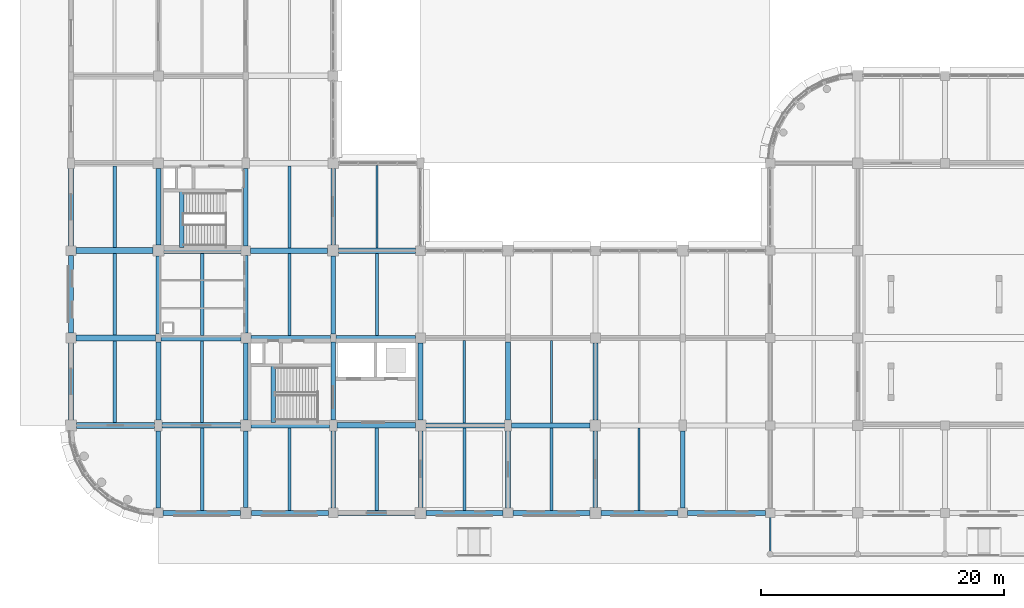
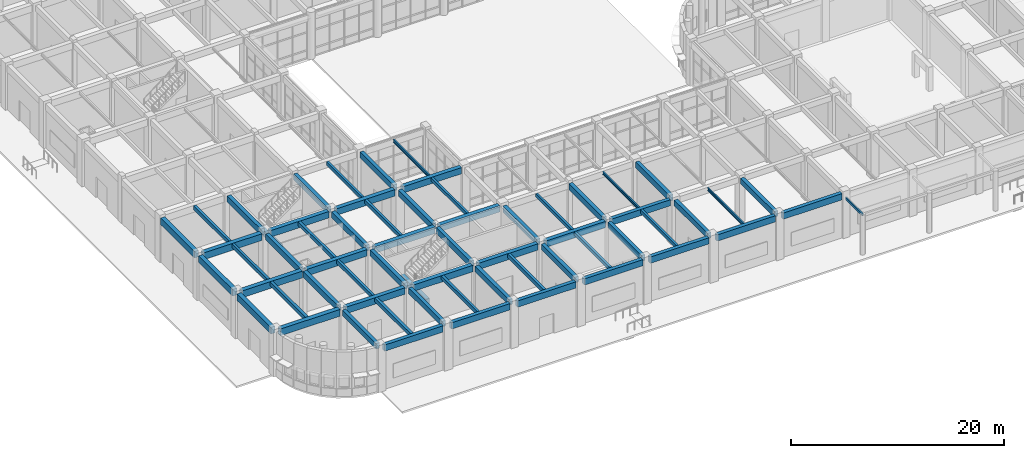
# One storey, part 15 of 160: 63 beams.
"""IFC4 building model written with IfcOpenShell, lengths in metres."""

from ifc_helpers import new_model, si_unit, direction, frame, origin, origin_2d, place, context, subcontext, project, spatial, rectangle, hollow_rectangle, i_section, extrude, material, material_profile, profile_set, type_object, element, save


model = new_model("IFC4")

# Units and contexts
model_context = context("Model", 3, precision=1e-05, world=origin(), true_north=direction((0.0, 1.0)))
body_context = subcontext(model_context, "Body", "Model", "MODEL_VIEW")
ifc_project = project(units=[si_unit("LENGTHUNIT", "METRE"), si_unit("AREAUNIT", "SQUARE_METRE"), si_unit("VOLUMEUNIT", "CUBIC_METRE"), si_unit("PLANEANGLEUNIT", "RADIAN"), si_unit("MASSUNIT", "GRAM", prefix="KILO")], contexts=[model_context])

# Site, building, storey
site_placement = place(None, origin())
site = spatial("IfcSite", under=ifc_project, at=site_placement, CompositionType="ELEMENT")
building_placement = place(site_placement, origin())
building = spatial("IfcBuilding", under=site, at=building_placement, Name="Thalmaran Polytechnic", CompositionType="ELEMENT")
storey_placement = place(building_placement, origin())
storey = spatial("IfcBuildingStorey", under=building, at=storey_placement, Name="L00", CompositionType="ELEMENT", Elevation=0.0)

# Beams
ifc_material_1 = material(Name="Steel S355", Category="steel")
ifc_material_profile_1 = material_profile(ifc_material_1, hollow_rectangle(XDim=0.14990234375, YDim=0.25, WallThickness=0.010009765625, at=origin_2d()), Name="RHS 250x150x10.0")
ifc_profile_set_1 = profile_set([ifc_material_profile_1], Name="Steel S355")
beam_type_1 = type_object("IfcBeamType", Name="BM-CN02", PredefinedType="BEAM", material=ifc_profile_set_1)
beam_1_placement = place(storey_placement, frame((57.60009765625, -3.39990234375, 4.47509765625), z_axis=(0.0, 1.0, 0.0), x_axis=(-1.0, 0.0, 0.0)))
element("IfcBeam", 1, at=beam_1_placement, inside=storey, type_object=beam_type_1, Name="South Arcade Tie Beam S0", PredefinedType="BEAM", context=body_context, shape_type="SweptSolid", body=[
    extrude(hollow_rectangle(XDim=0.14990234375, YDim=0.25, WallThickness=0.010009765625, at=origin_2d()), origin(), (0.0, 0.0, 1.0), 3.199951171875),
])
ifc_material_2 = material(Name="Concrete C40/50", Category="concrete")
ifc_material_profile_2 = material_profile(ifc_material_2, rectangle(XDim=0.449951171875, YDim=0.75, at=origin_2d()), Name="RC 450x750")
ifc_profile_set_2 = profile_set([ifc_material_profile_2], Name="Concrete C40/50")
beam_type_2 = type_object("IfcBeamType", Name="BM-RC03", PredefinedType="BEAM", material=ifc_profile_set_2)
beam_2_placement = place(storey_placement, frame((7.5, 7.199951171875, 4.715087890625), z_axis=(1.0, 0.0, 0.0), x_axis=(0.0, 1.0, 0.0)))
element("IfcBeam", 2, at=beam_2_placement, inside=storey, type_object=beam_type_2, Name="Grid Beam B03 L00 X(1,1)", PredefinedType="BEAM", context=body_context, shape_type="SweptSolid", body=[
    extrude(rectangle(XDim=0.449951171875, YDim=0.75, at=origin_2d()), origin(), (0.0, 0.0, 1.0), 6.4599609375),
])
beam_3_placement = place(storey_placement, frame((7.425048828125, 14.39990234375, 4.715087890625), z_axis=(1.0, 0.0, 0.0), x_axis=(0.0, 1.0, 0.0)))
element("IfcBeam", 3, at=beam_3_placement, inside=storey, type_object=beam_type_2, Name="Grid Beam B03 L00 X(1,2)", PredefinedType="BEAM", context=body_context, shape_type="SweptSolid", body=[
    extrude(rectangle(XDim=0.449951171875, YDim=0.75, at=origin_2d()), origin(), (0.0, 0.0, 1.0), 6.56494140625),
])
beam_4_placement = place(storey_placement, frame((7.64990234375, 21.60009765625, 4.715087890625), z_axis=(1.0, 0.0, 0.0), x_axis=(0.0, 1.0, 0.0)))
element("IfcBeam", 4, at=beam_4_placement, inside=storey, type_object=beam_type_2, Name="Grid Beam B03 L00 X(1,3)", PredefinedType="BEAM", context=body_context, shape_type="SweptSolid", body=[
    extrude(rectangle(XDim=0.449951171875, YDim=0.75, at=origin_2d()), origin(), (0.0, 0.0, 1.0), 6.35009765625),
])
ifc_material_profile_3 = material_profile(ifc_material_2, rectangle(XDim=0.449951171875, YDim=0.72509765625, at=origin_2d()), Name="RC 450x725")
ifc_profile_set_3 = profile_set([ifc_material_profile_3], Name="Concrete C40/50")
beam_type_3 = type_object("IfcBeamType", Name="BM-RC04", PredefinedType="BEAM", material=ifc_profile_set_3)
beam_5_placement = place(storey_placement, frame((21.89990234375, 7.199951171875, 4.7275390625), z_axis=(1.0, 0.0, 0.0), x_axis=(0.0, 1.0, 0.0)))
element("IfcBeam", 5, at=beam_5_placement, inside=storey, type_object=beam_type_3, Name="Grid Beam B04 L00 X(3,1)", PredefinedType="BEAM", context=body_context, shape_type="SweptSolid", body=[
    extrude(rectangle(XDim=0.449951171875, YDim=0.72509765625, at=origin_2d()), origin(), (0.0, 0.0, 1.0), 6.460205078125),
])
beam_6_placement = place(storey_placement, frame((21.824951171875, 14.39990234375, 4.7275390625), z_axis=(1.0, 0.0, 0.0), x_axis=(0.0, 1.0, 0.0)))
element("IfcBeam", 6, at=beam_6_placement, inside=storey, type_object=beam_type_3, Name="Grid Beam B04 L00 X(3,2)", PredefinedType="BEAM", context=body_context, shape_type="SweptSolid", body=[
    extrude(rectangle(XDim=0.449951171875, YDim=0.72509765625, at=origin_2d()), origin(), (0.0, 0.0, 1.0), 6.56494140625),
])
beam_7_placement = place(storey_placement, frame((22.050048828125, 21.60009765625, 4.7275390625), z_axis=(1.0, 0.0, 0.0), x_axis=(0.0, 1.0, 0.0)))
element("IfcBeam", 7, at=beam_7_placement, inside=storey, type_object=beam_type_3, Name="Grid Beam B04 L00 X(3,3)", PredefinedType="BEAM", context=body_context, shape_type="SweptSolid", body=[
    extrude(rectangle(XDim=0.449951171875, YDim=0.72509765625, at=origin_2d()), origin(), (0.0, 0.0, 1.0), 6.349853515625),
])
ifc_material_profile_4 = material_profile(ifc_material_2, rectangle(XDim=0.39990234375, YDim=0.699951171875, at=origin_2d()), Name="RC 400x700")
ifc_profile_set_4 = profile_set([ifc_material_profile_4], Name="Concrete C40/50")
beam_type_4 = type_object("IfcBeamType", Name="BM-RC05", PredefinedType="BEAM", material=ifc_profile_set_4)
beam_8_placement = place(storey_placement, frame((36.300048828125, 7.199951171875, 4.739990234375), z_axis=(1.0, 0.0, 0.0), x_axis=(0.0, 1.0, 0.0)))
element("IfcBeam", 8, at=beam_8_placement, inside=storey, type_object=beam_type_4, Name="Grid Beam B05 L00 X(5,1)", PredefinedType="BEAM", context=body_context, shape_type="SweptSolid", body=[
    extrude(rectangle(XDim=0.39990234375, YDim=0.699951171875, at=origin_2d()), origin(), (0.0, 0.0, 1.0), 6.4599609375),
])
ifc_material_profile_5 = material_profile(ifc_material_2, rectangle(XDim=0.389892578125, YDim=0.68505859375, at=origin_2d()), Name="RC 390x685")
ifc_profile_set_5 = profile_set([ifc_material_profile_5], Name="Concrete C40/50")
beam_type_5 = type_object("IfcBeamType", Name="BM-RC08", PredefinedType="BEAM", material=ifc_profile_set_5)
beam_9_placement = place(storey_placement, frame((7.199951171875, 7.64990234375, 4.74755859375), z_axis=(0.0, 1.0, 0.0), x_axis=(-1.0, 0.0, 0.0)))
element("IfcBeam", 9, at=beam_9_placement, inside=storey, type_object=beam_type_5, Name="Grid Beam B08 L00 Y(1,1)", PredefinedType="BEAM", context=body_context, shape_type="SweptSolid", body=[
    extrude(rectangle(XDim=0.389892578125, YDim=0.68505859375, at=origin_2d()), origin(), (0.0, 0.0, 1.0), 6.425048828125),
])
beam_10_placement = place(storey_placement, frame((14.39990234375, 7.639892578125, 4.74755859375), z_axis=(0.0, 1.0, 0.0), x_axis=(-1.0, 0.0, 0.0)))
element("IfcBeam", 10, at=beam_10_placement, inside=storey, type_object=beam_type_5, Name="Grid Beam B08 L00 Y(2,1)", PredefinedType="BEAM", context=body_context, shape_type="SweptSolid", body=[
    extrude(rectangle(XDim=0.389892578125, YDim=0.68505859375, at=origin_2d()), origin(), (0.0, 0.0, 1.0), 6.35009765625),
])
beam_11_placement = place(storey_placement, frame((21.60009765625, 7.64990234375, 4.74755859375), z_axis=(0.0, 1.0, 0.0), x_axis=(-1.0, 0.0, 0.0)))
element("IfcBeam", 11, at=beam_11_placement, inside=storey, type_object=beam_type_5, Name="Grid Beam B08 L00 Y(3,1)", PredefinedType="BEAM", context=body_context, shape_type="SweptSolid", body=[
    extrude(rectangle(XDim=0.389892578125, YDim=0.68505859375, at=origin_2d()), origin(), (0.0, 0.0, 1.0), 6.425048828125),
])
beam_12_placement = place(storey_placement, frame((28.800048828125, 7.639892578125, 4.74755859375), z_axis=(0.0, 1.0, 0.0), x_axis=(-1.0, 0.0, 0.0)))
element("IfcBeam", 12, at=beam_12_placement, inside=storey, type_object=beam_type_5, Name="Grid Beam B08 L00 Y(4,1)", PredefinedType="BEAM", context=body_context, shape_type="SweptSolid", body=[
    extrude(rectangle(XDim=0.389892578125, YDim=0.68505859375, at=origin_2d()), origin(), (0.0, 0.0, 1.0), 6.35009765625),
])
beam_13_placement = place(storey_placement, frame((36.0, 7.64990234375, 4.74755859375), z_axis=(0.0, 1.0, 0.0), x_axis=(-1.0, 0.0, 0.0)))
element("IfcBeam", 13, at=beam_13_placement, inside=storey, type_object=beam_type_5, Name="Grid Beam B08 L00 Y(5,1)", PredefinedType="BEAM", context=body_context, shape_type="SweptSolid", body=[
    extrude(rectangle(XDim=0.389892578125, YDim=0.68505859375, at=origin_2d()), origin(), (0.0, 0.0, 1.0), 6.425048828125),
])
beam_14_placement = place(storey_placement, frame((43.199951171875, 7.639892578125, 4.74755859375), z_axis=(0.0, 1.0, 0.0), x_axis=(-1.0, 0.0, 0.0)))
element("IfcBeam", 14, at=beam_14_placement, inside=storey, type_object=beam_type_5, Name="Grid Beam B08 L00 Y(6,1)", PredefinedType="BEAM", context=body_context, shape_type="SweptSolid", body=[
    extrude(rectangle(XDim=0.389892578125, YDim=0.68505859375, at=origin_2d()), origin(), (0.0, 0.0, 1.0), 6.35009765625),
])
ifc_material_profile_6 = material_profile(ifc_material_2, rectangle(XDim=0.389892578125, YDim=0.68994140625, at=origin_2d()), Name="RC 390x690")
ifc_profile_set_6 = profile_set([ifc_material_profile_6], Name="Concrete C40/50")
beam_type_6 = type_object("IfcBeamType", Name="BM-RC09", PredefinedType="BEAM", material=ifc_profile_set_6)
beam_15_placement = place(storey_placement, frame((7.199951171875, 22.050048828125, 4.7451171875), z_axis=(0.0, 1.0, 0.0), x_axis=(-1.0, 0.0, 0.0)))
element("IfcBeam", 15, at=beam_15_placement, inside=storey, type_object=beam_type_6, Name="Grid Beam B09 L00 Y(1,3)", PredefinedType="BEAM", context=body_context, shape_type="SweptSolid", body=[
    extrude(rectangle(XDim=0.389892578125, YDim=0.68994140625, at=origin_2d()), origin(), (0.0, 0.0, 1.0), 6.31005859375),
])
beam_16_placement = place(storey_placement, frame((14.39990234375, 22.0, 4.7451171875), z_axis=(0.0, 1.0, 0.0), x_axis=(-1.0, 0.0, 0.0)))
element("IfcBeam", 16, at=beam_16_placement, inside=storey, type_object=beam_type_6, Name="Grid Beam B09 L00 Y(2,3)", PredefinedType="BEAM", context=body_context, shape_type="SweptSolid", body=[
    extrude(rectangle(XDim=0.389892578125, YDim=0.68994140625, at=origin_2d()), origin(), (0.0, 0.0, 1.0), 6.35009765625),
])
beam_17_placement = place(storey_placement, frame((21.60009765625, 22.050048828125, 4.7451171875), z_axis=(0.0, 1.0, 0.0), x_axis=(-1.0, 0.0, 0.0)))
element("IfcBeam", 17, at=beam_17_placement, inside=storey, type_object=beam_type_6, Name="Grid Beam B09 L00 Y(3,3)", PredefinedType="BEAM", context=body_context, shape_type="SweptSolid", body=[
    extrude(rectangle(XDim=0.389892578125, YDim=0.68994140625, at=origin_2d()), origin(), (0.0, 0.0, 1.0), 6.31005859375),
])
ifc_material_profile_7 = material_profile(ifc_material_2, rectangle(XDim=0.389892578125, YDim=0.695068359375, at=origin_2d()), Name="RC 390x695")
ifc_profile_set_7 = profile_set([ifc_material_profile_7], Name="Concrete C40/50")
beam_type_7 = type_object("IfcBeamType", Name="BM-RC10", PredefinedType="BEAM", material=ifc_profile_set_7)
for number, where, z_axis, x_axis, name in (
    (18, (16.659912109375, 7.43994140625, 2.239990234375), (0.0, 1.0, 0.0), (-1.0, 0.0, 0.0), "ST1 L00 Half-Landing Trimmer Beam"),
    (19, (9.1201171875, 21.840087890625, 2.239990234375), (0.0, 1.0, 0.0), (-1.0, 0.0, 0.0), "ST3 L00 Half-Landing Trimmer Beam"),
):
    element("IfcBeam", number, at=place(storey_placement, frame(where, z_axis=z_axis, x_axis=x_axis)), inside=storey, type_object=beam_type_7, Name=name, PredefinedType="BEAM", context=body_context, shape_type="SweptSolid", body=[
        extrude(rectangle(XDim=0.389892578125, YDim=0.695068359375, at=origin_2d()), origin(), (0.0, 0.0, 1.0), 4.699951171875),
    ])
ifc_material_profile_8 = material_profile(ifc_material_2, rectangle(XDim=0.300048828125, YDim=0.449951171875, at=origin_2d()), Name="RC 300x450")
ifc_profile_set_8 = profile_set([ifc_material_profile_8], Name="Concrete C40/50")
beam_type_8 = type_object("IfcBeamType", Name="BM-RC12", PredefinedType="JOIST", material=ifc_profile_set_8)
beam_18_placement = place(storey_placement, frame((3.60009765625, 7.43994140625, 4.864990234375), z_axis=(0.0, 1.0, 0.0), x_axis=(-1.0, 0.0, 0.0)))
element("IfcBeam", 20, at=beam_18_placement, inside=storey, type_object=beam_type_8, Name="Secondary Floor Rib RB02 L00 (0,1)", PredefinedType="JOIST", context=body_context, shape_type="SweptSolid", body=[
    extrude(rectangle(XDim=0.300048828125, YDim=0.449951171875, at=origin_2d()), origin(), (0.0, 0.0, 1.0), 6.719970703125),
])
beam_19_placement = place(storey_placement, frame((10.800048828125, 0.199951171875, 4.864990234375), z_axis=(0.0, 1.0, 0.0), x_axis=(-1.0, 0.0, 0.0)))
element("IfcBeam", 21, at=beam_19_placement, inside=storey, type_object=beam_type_8, Name="Secondary Floor Rib RB02 L00 (1,0)", PredefinedType="JOIST", context=body_context, shape_type="SweptSolid", body=[
    extrude(rectangle(XDim=0.300048828125, YDim=0.449951171875, at=origin_2d()), origin(), (0.0, 0.0, 1.0), 6.775146484375),
])
ifc_material_profile_9 = material_profile(ifc_material_2, rectangle(XDim=0.280029296875, YDim=0.449951171875, at=origin_2d()), Name="RC 280x450")
ifc_profile_set_9 = profile_set([ifc_material_profile_9], Name="Concrete C40/50")
beam_type_9 = type_object("IfcBeamType", Name="BM-RC13", PredefinedType="JOIST", material=ifc_profile_set_9)
beam_20_placement = place(storey_placement, frame((3.60009765625, 21.840087890625, 4.864990234375), z_axis=(0.0, 1.0, 0.0), x_axis=(-1.0, 0.0, 0.0)))
element("IfcBeam", 22, at=beam_20_placement, inside=storey, type_object=beam_type_9, Name="Secondary Floor Rib RB03 L00 (0,3)", PredefinedType="JOIST", context=body_context, shape_type="SweptSolid", body=[
    extrude(rectangle(XDim=0.280029296875, YDim=0.449951171875, at=origin_2d()), origin(), (0.0, 0.0, 1.0), 6.719970703125),
])
beam_21_placement = place(storey_placement, frame((10.800048828125, 14.625, 4.864990234375), z_axis=(0.0, 1.0, 0.0), x_axis=(-1.0, 0.0, 0.0)))
element("IfcBeam", 23, at=beam_21_placement, inside=storey, type_object=beam_type_9, Name="Secondary Floor Rib RB03 L00 (1,2)", PredefinedType="JOIST", context=body_context, shape_type="SweptSolid", body=[
    extrude(rectangle(XDim=0.280029296875, YDim=0.449951171875, at=origin_2d()), origin(), (0.0, 0.0, 1.0), 6.75),
])
beam_22_placement = place(storey_placement, frame((25.199951171875, 0.199951171875, 4.864990234375), z_axis=(0.0, 1.0, 0.0), x_axis=(-1.0, 0.0, 0.0)))
element("IfcBeam", 24, at=beam_22_placement, inside=storey, type_object=beam_type_9, Name="Secondary Floor Rib RB03 L00 (3,0)", PredefinedType="JOIST", context=body_context, shape_type="SweptSolid", body=[
    extrude(rectangle(XDim=0.280029296875, YDim=0.449951171875, at=origin_2d()), origin(), (0.0, 0.0, 1.0), 6.775146484375),
])
ifc_material_profile_10 = material_profile(ifc_material_1, i_section(OverallWidth=0.159912109375, OverallDepth=0.330078125, WebThickness=0.007568359375, FlangeThickness=0.011474609375, at=origin_2d()), Name="IPE 330")
ifc_profile_set_10 = profile_set([ifc_material_profile_10], Name="Steel S355")
beam_type_10 = type_object("IfcBeamType", Name="BM-SJ02", PredefinedType="JOIST", material=ifc_profile_set_10)
beam_23_placement = place(storey_placement, frame((25.199951171875, 21.824951171875, 4.925048828125), z_axis=(0.0, 1.0, 0.0), x_axis=(-1.0, 0.0, 0.0)))
element("IfcBeam", 25, at=beam_23_placement, inside=storey, type_object=beam_type_10, Name="Secondary Floor Rib SJ02 L00 (3,3)", PredefinedType="JOIST", context=body_context, shape_type="SweptSolid", body=[
    extrude(i_section(OverallWidth=0.159912109375, OverallDepth=0.330078125, WebThickness=0.007568359375, FlangeThickness=0.011474609375, at=origin_2d()), origin(), (0.0, 0.0, 1.0), 6.775146484375),
])
beam_24_placement = place(storey_placement, frame((39.60009765625, 7.39990234375, 4.925048828125), z_axis=(0.0, 1.0, 0.0), x_axis=(-1.0, 0.0, 0.0)))
element("IfcBeam", 26, at=beam_24_placement, inside=storey, type_object=beam_type_10, Name="Secondary Floor Rib SJ02 L00 (5,1)", PredefinedType="JOIST", context=body_context, shape_type="SweptSolid", body=[
    extrude(i_section(OverallWidth=0.159912109375, OverallDepth=0.330078125, WebThickness=0.007568359375, FlangeThickness=0.011474609375, at=origin_2d()), origin(), (0.0, 0.0, 1.0), 6.800048828125),
])
beam_25_placement = place(storey_placement, frame((46.800048828125, 0.199951171875, 4.925048828125), z_axis=(0.0, 1.0, 0.0), x_axis=(-1.0, 0.0, 0.0)))
element("IfcBeam", 27, at=beam_25_placement, inside=storey, type_object=beam_type_10, Name="Secondary Floor Rib SJ02 L00 (6,0)", PredefinedType="JOIST", context=body_context, shape_type="SweptSolid", body=[
    extrude(i_section(OverallWidth=0.159912109375, OverallDepth=0.330078125, WebThickness=0.007568359375, FlangeThickness=0.011474609375, at=origin_2d()), origin(), (0.0, 0.0, 1.0), 6.7900390625),
])
ifc_material_profile_11 = material_profile(ifc_material_2, rectangle(XDim=0.39990234375, YDim=0.719970703125, at=origin_2d()), Name="RC 400x720")
ifc_profile_set_11 = profile_set([ifc_material_profile_11], Name="Concrete C40/50")
beam_type_11 = type_object("IfcBeamType", Name="BM-SP01", PredefinedType="SPANDREL", material=ifc_profile_set_11)
for number, where, z_axis, x_axis, name in (
    (28, (7.60009765625, 0.0, 4.72998046875), (1.0, 0.0, 0.0), (0.0, 1.0, 0.0), "Grid Beam SP01 L00 X(1,0)"),
    (29, (14.85009765625, 0.0, 4.72998046875), (1.0, 0.0, 0.0), (0.0, 1.0, 0.0), "Grid Beam SP01 L00 X(2,0)"),
):
    element("IfcBeam", number, at=place(storey_placement, frame(where, z_axis=z_axis, x_axis=x_axis)), inside=storey, type_object=beam_type_11, Name=name, PredefinedType="SPANDREL", context=body_context, shape_type="SweptSolid", body=[
        extrude(rectangle(XDim=0.39990234375, YDim=0.719970703125, at=origin_2d()), origin(), (0.0, 0.0, 1.0), 6.349853515625),
    ])
for number, where, z_axis, x_axis, name in (
    (30, (22.0, 0.0, 4.72998046875), (1.0, 0.0, 0.0), (0.0, 1.0, 0.0), "Grid Beam SP01 L00 X(3,0)"),
    (31, (29.25, 0.0, 4.72998046875), (1.0, 0.0, 0.0), (0.0, 1.0, 0.0), "Grid Beam SP01 L00 X(4,0)"),
    (32, (36.39990234375, 0.0, 4.72998046875), (1.0, 0.0, 0.0), (0.0, 1.0, 0.0), "Grid Beam SP01 L00 X(5,0)"),
    (33, (43.64990234375, 0.0, 4.72998046875), (1.0, 0.0, 0.0), (0.0, 1.0, 0.0), "Grid Beam SP01 L00 X(6,0)"),
):
    element("IfcBeam", number, at=place(storey_placement, frame(where, z_axis=z_axis, x_axis=x_axis)), inside=storey, type_object=beam_type_11, Name=name, PredefinedType="SPANDREL", context=body_context, shape_type="SweptSolid", body=[
        extrude(rectangle(XDim=0.39990234375, YDim=0.719970703125, at=origin_2d()), origin(), (0.0, 0.0, 1.0), 6.35009765625),
    ])
beam_26_placement = place(storey_placement, frame((50.800048828125, 0.0, 4.72998046875), z_axis=(1.0, 0.0, 0.0), x_axis=(0.0, 1.0, 0.0)))
element("IfcBeam", 34, at=beam_26_placement, inside=storey, type_object=beam_type_11, Name="Grid Beam SP01 L00 X(7,0)", PredefinedType="SPANDREL", context=body_context, shape_type="SweptSolid", body=[
    extrude(rectangle(XDim=0.39990234375, YDim=0.719970703125, at=origin_2d()), origin(), (0.0, 0.0, 1.0), 6.425048828125),
])
ifc_material_profile_12 = material_profile(ifc_material_2, rectangle(XDim=0.449951171875, YDim=0.7548828125, at=origin_2d()), Name="RC 450x755")
ifc_profile_set_12 = profile_set([ifc_material_profile_12], Name="Concrete C40/50")
beam_type_12 = type_object("IfcBeamType", Name="BM-SP02", PredefinedType="SPANDREL", material=ifc_profile_set_12)
beam_27_placement = place(storey_placement, frame((0.0, 7.639892578125, 4.71240234375), z_axis=(0.0, 1.0, 0.0), x_axis=(-1.0, 0.0, 0.0)))
element("IfcBeam", 35, at=beam_27_placement, inside=storey, type_object=beam_type_12, Name="Grid Beam SP02 L00 Y(0,1)", PredefinedType="SPANDREL", context=body_context, shape_type="SweptSolid", body=[
    extrude(rectangle(XDim=0.449951171875, YDim=0.7548828125, at=origin_2d()), origin(), (0.0, 0.0, 1.0), 6.35009765625),
])
beam_28_placement = place(storey_placement, frame((0.0, 14.81005859375, 4.71240234375), z_axis=(0.0, 1.0, 0.0), x_axis=(-1.0, 0.0, 0.0)))
element("IfcBeam", 36, at=beam_28_placement, inside=storey, type_object=beam_type_12, Name="Grid Beam SP02 L00 Y(0,2)", PredefinedType="SPANDREL", context=body_context, shape_type="SweptSolid", body=[
    extrude(rectangle(XDim=0.449951171875, YDim=0.7548828125, at=origin_2d()), origin(), (0.0, 0.0, 1.0), 6.389892578125),
])
beam_29_placement = place(storey_placement, frame((0.0, 22.0, 4.71240234375), z_axis=(0.0, 1.0, 0.0), x_axis=(-1.0, 0.0, 0.0)))
element("IfcBeam", 37, at=beam_29_placement, inside=storey, type_object=beam_type_12, Name="Grid Beam SP02 L00 Y(0,3)", PredefinedType="SPANDREL", context=body_context, shape_type="SweptSolid", body=[
    extrude(rectangle(XDim=0.449951171875, YDim=0.7548828125, at=origin_2d()), origin(), (0.0, 0.0, 1.0), 6.35009765625),
])
ifc_material_profile_13 = material_profile(ifc_material_2, rectangle(XDim=0.47998046875, YDim=0.780029296875, at=origin_2d()), Name="RC 480x780")
ifc_profile_set_13 = profile_set([ifc_material_profile_13], Name="Concrete C40/50")
beam_type_13 = type_object("IfcBeamType", Name="BM-ZB01", PredefinedType="BEAM", material=ifc_profile_set_13)
beam_30_placement = place(storey_placement, frame((0.43994140625, 7.199951171875, 4.699951171875), z_axis=(1.0, 0.0, 0.0), x_axis=(0.0, 1.0, 0.0)))
element("IfcBeam", 38, at=beam_30_placement, inside=storey, type_object=beam_type_13, Name="Grid Beam ZB01 L00 X(0,1)", PredefinedType="BEAM", context=body_context, shape_type="SweptSolid", body=[
    extrude(rectangle(XDim=0.47998046875, YDim=0.780029296875, at=origin_2d()), origin(), (0.0, 0.0, 1.0), 6.4599609375),
])
beam_31_placement = place(storey_placement, frame((0.409912109375, 14.39990234375, 4.699951171875), z_axis=(1.0, 0.0, 0.0), x_axis=(0.0, 1.0, 0.0)))
element("IfcBeam", 39, at=beam_31_placement, inside=storey, type_object=beam_type_13, Name="Grid Beam ZB01 L00 X(0,2)", PredefinedType="BEAM", context=body_context, shape_type="SweptSolid", body=[
    extrude(rectangle(XDim=0.47998046875, YDim=0.780029296875, at=origin_2d()), origin(), (0.0, 0.0, 1.0), 6.565185546875),
])
beam_32_placement = place(storey_placement, frame((0.39990234375, 21.60009765625, 4.699951171875), z_axis=(1.0, 0.0, 0.0), x_axis=(0.0, 1.0, 0.0)))
element("IfcBeam", 40, at=beam_32_placement, inside=storey, type_object=beam_type_13, Name="Grid Beam ZB01 L00 X(0,3)", PredefinedType="BEAM", context=body_context, shape_type="SweptSolid", body=[
    extrude(rectangle(XDim=0.47998046875, YDim=0.780029296875, at=origin_2d()), origin(), (0.0, 0.0, 1.0), 6.35009765625),
])
ifc_material_profile_14 = material_profile(ifc_material_2, rectangle(XDim=0.4599609375, YDim=0.739990234375, at=origin_2d()), Name="RC 460x740")
ifc_profile_set_14 = profile_set([ifc_material_profile_14], Name="Concrete C40/50")
beam_type_14 = type_object("IfcBeamType", Name="BM-ZB02", PredefinedType="BEAM", material=ifc_profile_set_14)
beam_33_placement = place(storey_placement, frame((14.840087890625, 7.199951171875, 4.719970703125), z_axis=(1.0, 0.0, 0.0), x_axis=(0.0, 1.0, 0.0)))
element("IfcBeam", 41, at=beam_33_placement, inside=storey, type_object=beam_type_14, Name="Grid Beam ZB02 L00 X(2,1)", PredefinedType="BEAM", context=body_context, shape_type="SweptSolid", body=[
    extrude(rectangle(XDim=0.4599609375, YDim=0.739990234375, at=origin_2d()), origin(), (0.0, 0.0, 1.0), 6.4599609375),
])
beam_34_placement = place(storey_placement, frame((14.81005859375, 14.39990234375, 4.719970703125), z_axis=(1.0, 0.0, 0.0), x_axis=(0.0, 1.0, 0.0)))
element("IfcBeam", 42, at=beam_34_placement, inside=storey, type_object=beam_type_14, Name="Grid Beam ZB02 L00 X(2,2)", PredefinedType="BEAM", context=body_context, shape_type="SweptSolid", body=[
    extrude(rectangle(XDim=0.4599609375, YDim=0.739990234375, at=origin_2d()), origin(), (0.0, 0.0, 1.0), 6.56494140625),
])
beam_35_placement = place(storey_placement, frame((14.800048828125, 21.60009765625, 4.719970703125), z_axis=(1.0, 0.0, 0.0), x_axis=(0.0, 1.0, 0.0)))
element("IfcBeam", 43, at=beam_35_placement, inside=storey, type_object=beam_type_14, Name="Grid Beam ZB02 L00 X(2,3)", PredefinedType="BEAM", context=body_context, shape_type="SweptSolid", body=[
    extrude(rectangle(XDim=0.4599609375, YDim=0.739990234375, at=origin_2d()), origin(), (0.0, 0.0, 1.0), 6.349853515625),
])
ifc_material_profile_15 = material_profile(ifc_material_2, rectangle(XDim=0.43994140625, YDim=0.719970703125, at=origin_2d()), Name="RC 440x720")
ifc_profile_set_15 = profile_set([ifc_material_profile_15], Name="Concrete C40/50")
beam_type_15 = type_object("IfcBeamType", Name="BM-ZB03", PredefinedType="BEAM", material=ifc_profile_set_15)
beam_36_placement = place(storey_placement, frame((29.239990234375, 7.199951171875, 4.72998046875), z_axis=(1.0, 0.0, 0.0), x_axis=(0.0, 1.0, 0.0)))
element("IfcBeam", 44, at=beam_36_placement, inside=storey, type_object=beam_type_15, Name="Grid Beam ZB03 L00 X(4,1)", PredefinedType="BEAM", context=body_context, shape_type="SweptSolid", body=[
    extrude(rectangle(XDim=0.43994140625, YDim=0.719970703125, at=origin_2d()), origin(), (0.0, 0.0, 1.0), 6.4599609375),
])
ifc_material_profile_16 = material_profile(ifc_material_2, rectangle(XDim=0.3798828125, YDim=0.635009765625, at=origin_2d()), Name="RC 380x635")
ifc_profile_set_16 = profile_set([ifc_material_profile_16], Name="Concrete C40/50")
beam_type_16 = type_object("IfcBeamType", Name="BM-ZB06", PredefinedType="BEAM", material=ifc_profile_set_16)
beam_37_placement = place(storey_placement, frame((7.199951171875, 0.39990234375, 4.7724609375), z_axis=(0.0, 1.0, 0.0), x_axis=(-1.0, 0.0, 0.0)))
element("IfcBeam", 45, at=beam_37_placement, inside=storey, type_object=beam_type_16, Name="Grid Beam ZB06 L00 Y(1,0)", PredefinedType="BEAM", context=body_context, shape_type="SweptSolid", body=[
    extrude(rectangle(XDim=0.3798828125, YDim=0.635009765625, at=origin_2d()), origin(), (0.0, 0.0, 1.0), 6.35009765625),
])
beam_38_placement = place(storey_placement, frame((14.39990234375, 0.449951171875, 4.7724609375), z_axis=(0.0, 1.0, 0.0), x_axis=(-1.0, 0.0, 0.0)))
element("IfcBeam", 46, at=beam_38_placement, inside=storey, type_object=beam_type_16, Name="Grid Beam ZB06 L00 Y(2,0)", PredefinedType="BEAM", context=body_context, shape_type="SweptSolid", body=[
    extrude(rectangle(XDim=0.3798828125, YDim=0.635009765625, at=origin_2d()), origin(), (0.0, 0.0, 1.0), 6.31005859375),
])
beam_39_placement = place(storey_placement, frame((21.60009765625, 0.39990234375, 4.7724609375), z_axis=(0.0, 1.0, 0.0), x_axis=(-1.0, 0.0, 0.0)))
element("IfcBeam", 47, at=beam_39_placement, inside=storey, type_object=beam_type_16, Name="Grid Beam ZB06 L00 Y(3,0)", PredefinedType="BEAM", context=body_context, shape_type="SweptSolid", body=[
    extrude(rectangle(XDim=0.3798828125, YDim=0.635009765625, at=origin_2d()), origin(), (0.0, 0.0, 1.0), 6.35009765625),
])
beam_40_placement = place(storey_placement, frame((28.800048828125, 0.449951171875, 4.7724609375), z_axis=(0.0, 1.0, 0.0), x_axis=(-1.0, 0.0, 0.0)))
element("IfcBeam", 48, at=beam_40_placement, inside=storey, type_object=beam_type_16, Name="Grid Beam ZB06 L00 Y(4,0)", PredefinedType="BEAM", context=body_context, shape_type="SweptSolid", body=[
    extrude(rectangle(XDim=0.3798828125, YDim=0.635009765625, at=origin_2d()), origin(), (0.0, 0.0, 1.0), 6.31005859375),
])
beam_41_placement = place(storey_placement, frame((36.0, 0.39990234375, 4.7724609375), z_axis=(0.0, 1.0, 0.0), x_axis=(-1.0, 0.0, 0.0)))
element("IfcBeam", 49, at=beam_41_placement, inside=storey, type_object=beam_type_16, Name="Grid Beam ZB06 L00 Y(5,0)", PredefinedType="BEAM", context=body_context, shape_type="SweptSolid", body=[
    extrude(rectangle(XDim=0.3798828125, YDim=0.635009765625, at=origin_2d()), origin(), (0.0, 0.0, 1.0), 6.35009765625),
])
beam_42_placement = place(storey_placement, frame((43.199951171875, 0.449951171875, 4.7724609375), z_axis=(0.0, 1.0, 0.0), x_axis=(-1.0, 0.0, 0.0)))
element("IfcBeam", 50, at=beam_42_placement, inside=storey, type_object=beam_type_16, Name="Grid Beam ZB06 L00 Y(6,0)", PredefinedType="BEAM", context=body_context, shape_type="SweptSolid", body=[
    extrude(rectangle(XDim=0.3798828125, YDim=0.635009765625, at=origin_2d()), origin(), (0.0, 0.0, 1.0), 6.31005859375),
])
beam_43_placement = place(storey_placement, frame((50.39990234375, 0.39990234375, 4.7724609375), z_axis=(0.0, 1.0, 0.0), x_axis=(-1.0, 0.0, 0.0)))
element("IfcBeam", 51, at=beam_43_placement, inside=storey, type_object=beam_type_16, Name="Grid Beam ZB06 L00 Y(7,0)", PredefinedType="BEAM", context=body_context, shape_type="SweptSolid", body=[
    extrude(rectangle(XDim=0.3798828125, YDim=0.635009765625, at=origin_2d()), origin(), (0.0, 0.0, 1.0), 6.35009765625),
])
ifc_material_profile_17 = material_profile(ifc_material_2, rectangle(XDim=0.39990234375, YDim=0.68505859375, at=origin_2d()), Name="RC 400x685")
ifc_profile_set_17 = profile_set([ifc_material_profile_17], Name="Concrete C40/50")
beam_type_17 = type_object("IfcBeamType", Name="BM-ZB07", PredefinedType="BEAM", material=ifc_profile_set_17)
beam_44_placement = place(storey_placement, frame((7.199951171875, 14.72509765625, 4.74755859375), z_axis=(0.0, 1.0, 0.0), x_axis=(-1.0, 0.0, 0.0)))
element("IfcBeam", 52, at=beam_44_placement, inside=storey, type_object=beam_type_17, Name="Grid Beam ZB07 L00 Y(1,2)", PredefinedType="BEAM", context=body_context, shape_type="SweptSolid", body=[
    extrude(rectangle(XDim=0.39990234375, YDim=0.68505859375, at=origin_2d()), origin(), (0.0, 0.0, 1.0), 6.4248046875),
])
beam_45_placement = place(storey_placement, frame((14.39990234375, 14.81005859375, 4.74755859375), z_axis=(0.0, 1.0, 0.0), x_axis=(-1.0, 0.0, 0.0)))
element("IfcBeam", 53, at=beam_45_placement, inside=storey, type_object=beam_type_17, Name="Grid Beam ZB07 L00 Y(2,2)", PredefinedType="BEAM", context=body_context, shape_type="SweptSolid", body=[
    extrude(rectangle(XDim=0.39990234375, YDim=0.68505859375, at=origin_2d()), origin(), (0.0, 0.0, 1.0), 6.389892578125),
])
beam_46_placement = place(storey_placement, frame((21.60009765625, 14.72509765625, 4.74755859375), z_axis=(0.0, 1.0, 0.0), x_axis=(-1.0, 0.0, 0.0)))
element("IfcBeam", 54, at=beam_46_placement, inside=storey, type_object=beam_type_17, Name="Grid Beam ZB07 L00 Y(3,2)", PredefinedType="BEAM", context=body_context, shape_type="SweptSolid", body=[
    extrude(rectangle(XDim=0.39990234375, YDim=0.68505859375, at=origin_2d()), origin(), (0.0, 0.0, 1.0), 6.4248046875),
])
ifc_material_profile_18 = material_profile(ifc_material_2, rectangle(XDim=0.260009765625, YDim=0.43994140625, at=origin_2d()), Name="RC 260x440")
ifc_profile_set_18 = profile_set([ifc_material_profile_18], Name="Concrete C40/50")
beam_type_18 = type_object("IfcBeamType", Name="BM-ZJ02", PredefinedType="JOIST", material=ifc_profile_set_18)
beam_47_placement = place(storey_placement, frame((3.60009765625, 14.639892578125, 4.8701171875), z_axis=(0.0, 1.0, 0.0), x_axis=(-1.0, 0.0, 0.0)))
element("IfcBeam", 55, at=beam_47_placement, inside=storey, type_object=beam_type_18, Name="Secondary Floor Rib ZJ02 L00 (0,2)", PredefinedType="JOIST", context=body_context, shape_type="SweptSolid", body=[
    extrude(rectangle(XDim=0.260009765625, YDim=0.43994140625, at=origin_2d()), origin(), (0.0, 0.0, 1.0), 6.72021484375),
])
beam_48_placement = place(storey_placement, frame((10.800048828125, 7.425048828125, 4.8701171875), z_axis=(0.0, 1.0, 0.0), x_axis=(-1.0, 0.0, 0.0)))
element("IfcBeam", 56, at=beam_48_placement, inside=storey, type_object=beam_type_18, Name="Secondary Floor Rib ZJ02 L00 (1,1)", PredefinedType="JOIST", context=body_context, shape_type="SweptSolid", body=[
    extrude(rectangle(XDim=0.260009765625, YDim=0.43994140625, at=origin_2d()), origin(), (0.0, 0.0, 1.0), 6.75),
])
beam_49_placement = place(storey_placement, frame((18.0, 0.199951171875, 4.8701171875), z_axis=(0.0, 1.0, 0.0), x_axis=(-1.0, 0.0, 0.0)))
element("IfcBeam", 57, at=beam_49_placement, inside=storey, type_object=beam_type_18, Name="Secondary Floor Rib ZJ02 L00 (2,0)", PredefinedType="JOIST", context=body_context, shape_type="SweptSolid", body=[
    extrude(rectangle(XDim=0.260009765625, YDim=0.43994140625, at=origin_2d()), origin(), (0.0, 0.0, 1.0), 6.77001953125),
])
ifc_material_profile_19 = material_profile(ifc_material_2, rectangle(XDim=0.25, YDim=0.419921875, at=origin_2d()), Name="RC 250x420")
ifc_profile_set_19 = profile_set([ifc_material_profile_19], Name="Concrete C40/50")
beam_type_19 = type_object("IfcBeamType", Name="BM-ZJ03", PredefinedType="JOIST", material=ifc_profile_set_19)
beam_50_placement = place(storey_placement, frame((18.0, 14.6298828125, 4.8798828125), z_axis=(0.0, 1.0, 0.0), x_axis=(-1.0, 0.0, 0.0)))
element("IfcBeam", 58, at=beam_50_placement, inside=storey, type_object=beam_type_19, Name="Secondary Floor Rib ZJ03 L00 (2,2)", PredefinedType="JOIST", context=body_context, shape_type="SweptSolid", body=[
    extrude(rectangle(XDim=0.25, YDim=0.419921875, at=origin_2d()), origin(), (0.0, 0.0, 1.0), 6.740234375),
])
beam_51_placement = place(storey_placement, frame((32.39990234375, 0.199951171875, 4.8798828125), z_axis=(0.0, 1.0, 0.0), x_axis=(-1.0, 0.0, 0.0)))
element("IfcBeam", 59, at=beam_51_placement, inside=storey, type_object=beam_type_19, Name="Secondary Floor Rib ZJ03 L00 (4,0)", PredefinedType="JOIST", context=body_context, shape_type="SweptSolid", body=[
    extrude(rectangle(XDim=0.25, YDim=0.419921875, at=origin_2d()), origin(), (0.0, 0.0, 1.0), 6.780029296875),
])
ifc_material_profile_20 = material_profile(ifc_material_2, rectangle(XDim=0.239990234375, YDim=0.39990234375, at=origin_2d()), Name="RC 240x400")
ifc_profile_set_20 = profile_set([ifc_material_profile_20], Name="Concrete C40/50")
beam_type_20 = type_object("IfcBeamType", Name="BM-ZJ04", PredefinedType="JOIST", material=ifc_profile_set_20)
beam_52_placement = place(storey_placement, frame((18.0, 21.830078125, 4.889892578125), z_axis=(0.0, 1.0, 0.0), x_axis=(-1.0, 0.0, 0.0)))
element("IfcBeam", 60, at=beam_52_placement, inside=storey, type_object=beam_type_20, Name="Secondary Floor Rib ZJ04 L00 (2,3)", PredefinedType="JOIST", context=body_context, shape_type="SweptSolid", body=[
    extrude(rectangle(XDim=0.239990234375, YDim=0.39990234375, at=origin_2d()), origin(), (0.0, 0.0, 1.0), 6.739990234375),
])
beam_53_placement = place(storey_placement, frame((25.199951171875, 14.625, 4.889892578125), z_axis=(0.0, 1.0, 0.0), x_axis=(-1.0, 0.0, 0.0)))
element("IfcBeam", 61, at=beam_53_placement, inside=storey, type_object=beam_type_20, Name="Secondary Floor Rib ZJ04 L00 (3,2)", PredefinedType="JOIST", context=body_context, shape_type="SweptSolid", body=[
    extrude(rectangle(XDim=0.239990234375, YDim=0.39990234375, at=origin_2d()), origin(), (0.0, 0.0, 1.0), 6.75),
])
beam_54_placement = place(storey_placement, frame((32.39990234375, 7.419921875, 4.889892578125), z_axis=(0.0, 1.0, 0.0), x_axis=(-1.0, 0.0, 0.0)))
element("IfcBeam", 62, at=beam_54_placement, inside=storey, type_object=beam_type_20, Name="Secondary Floor Rib ZJ04 L00 (4,1)", PredefinedType="JOIST", context=body_context, shape_type="SweptSolid", body=[
    extrude(rectangle(XDim=0.239990234375, YDim=0.39990234375, at=origin_2d()), origin(), (0.0, 0.0, 1.0), 6.760009765625),
])
beam_55_placement = place(storey_placement, frame((39.60009765625, 0.199951171875, 4.889892578125), z_axis=(0.0, 1.0, 0.0), x_axis=(-1.0, 0.0, 0.0)))
element("IfcBeam", 63, at=beam_55_placement, inside=storey, type_object=beam_type_20, Name="Secondary Floor Rib ZJ04 L00 (5,0)", PredefinedType="JOIST", context=body_context, shape_type="SweptSolid", body=[
    extrude(rectangle(XDim=0.239990234375, YDim=0.39990234375, at=origin_2d()), origin(), (0.0, 0.0, 1.0), 6.800048828125),
])

save(model, "model.ifc")
